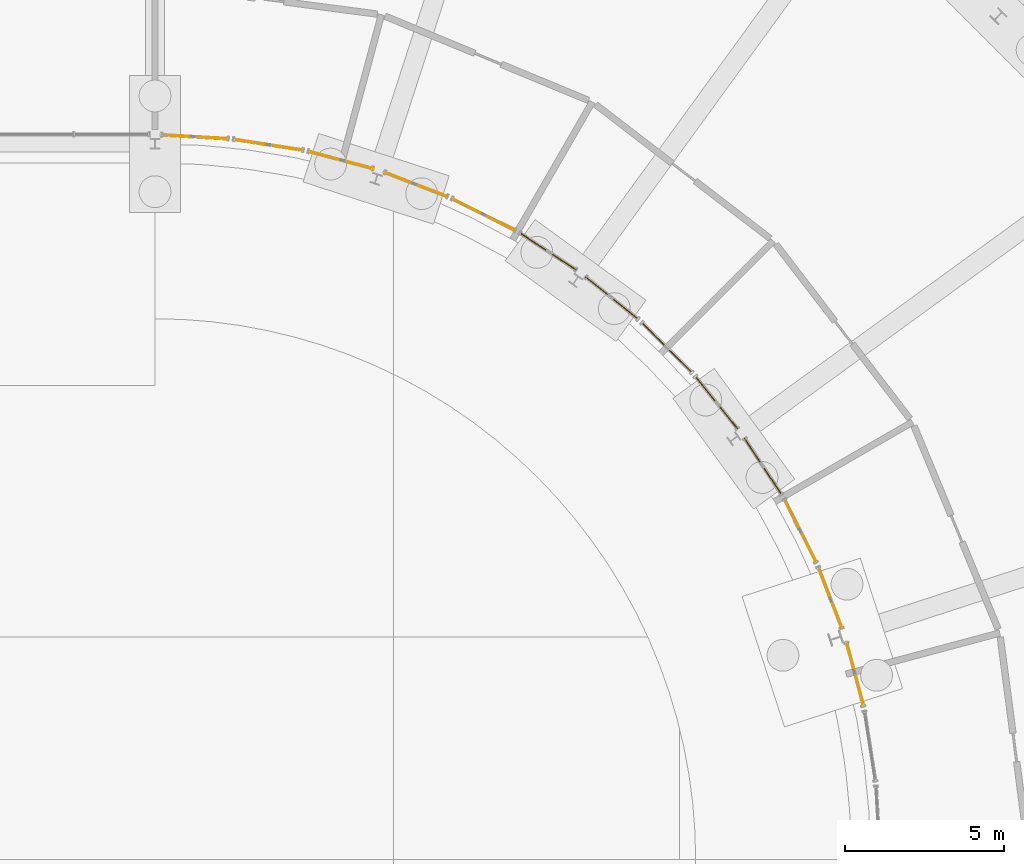
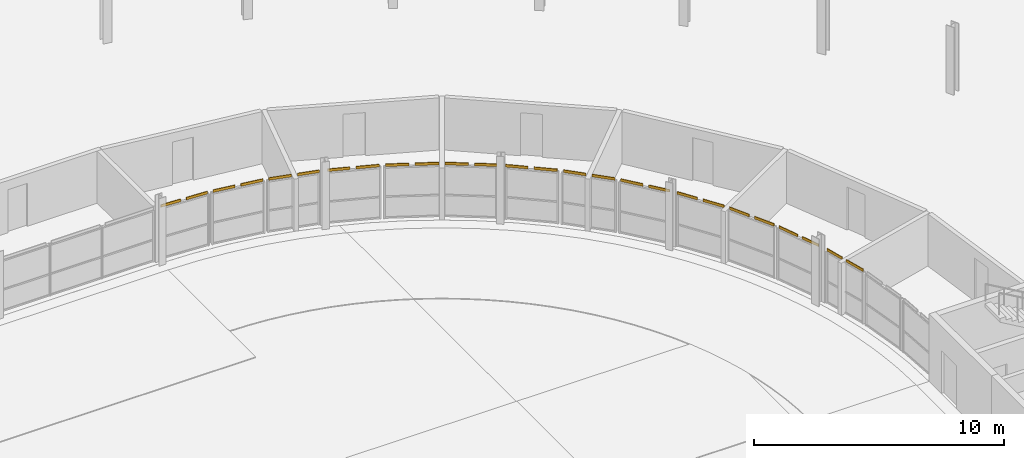
# One storey, part 129 of 130: 26 coverings.
"""IFC4 building model written with IfcOpenShell, lengths in metres."""

from ifc_helpers import new_model, si_unit, direction, frame, origin, origin_2d, place, context, subcontext, project, spatial, rectangle, extrude, material, layer, layer_set, type_object, element, save


model = new_model("IFC4")

# Units and contexts
model_context = context("Model", 3, precision=1e-05, world=origin(), true_north=direction((0.0, 1.0)))
body_context = subcontext(model_context, "Body", "Model", "MODEL_VIEW")
ifc_project = project(units=[si_unit("LENGTHUNIT", "METRE"), si_unit("AREAUNIT", "SQUARE_METRE"), si_unit("VOLUMEUNIT", "CUBIC_METRE"), si_unit("PLANEANGLEUNIT", "RADIAN"), si_unit("MASSUNIT", "GRAM", prefix="KILO")], contexts=[model_context])

# Site, building, storey
site_placement = place(None, origin())
site = spatial("IfcSite", under=ifc_project, at=site_placement, CompositionType="ELEMENT")
building_placement = place(site_placement, origin())
building = spatial("IfcBuilding", under=site, at=building_placement, Name="Parallax Yard Mobility Hub", CompositionType="ELEMENT")
storey_placement = place(building_placement, origin())
storey = spatial("IfcBuildingStorey", under=building, at=storey_placement, Name="L00", CompositionType="ELEMENT", Elevation=0.0)

# Coverings
ifc_material = material(Name="Insulated aluminium spandrel panel", Category="aluminium")
ifc_layer = layer(ifc_material, 0.028076171875)
ifc_layer_set = layer_set([ifc_layer], Name="Curtain wall spandrel closer, insulated aluminium 28")
covering_type = type_object("IfcCoveringType", Name="Curtain wall spandrel closer, insulated aluminium 28", PredefinedType="CLADDING", material=ifc_layer_set)
covering_1_placement = place(storey_placement, frame((173.12158203125, 112.764892578125, 2.5), z_axis=(0.0, 0.0, 1.0), x_axis=(0.998360850676, -0.057232961117, 0.0)))
element("IfcCovering", 1, at=covering_1_placement, inside=storey, type_object=covering_type, Name="Curtain wall CW24 level L00 bay 18.1 spandrel closer 1", ObjectType="SCREEN", PredefinedType="CLADDING", context=body_context, shape_type="SweptSolid", body=[
    extrude(rectangle(XDim=0.8935546875, YDim=0.028076171875, at=origin_2d()), origin(), (0.0, 0.0, 1.0), 0.126953125),
])
covering_2_placement = place(storey_placement, frame((174.28662109375, 112.697998046875, 2.5), z_axis=(0.0, 0.0, 1.0), x_axis=(0.998360850676, -0.057232961117, 0.0)))
element("IfcCovering", 2, at=covering_2_placement, inside=storey, type_object=covering_type, Name="Curtain wall CW24 level L00 bay 18.1 spandrel closer 2", ObjectType="SCREEN", PredefinedType="CLADDING", context=body_context, shape_type="SweptSolid", body=[
    extrude(rectangle(XDim=0.944580078125, YDim=0.028076171875, at=origin_2d()), origin(), (0.0, 0.0, 1.0), 0.126953125),
])
for number, where, z_axis, x_axis, name in (
    (3, (175.47119140625, 112.57177734375, 2.5), (0.0, 0.0, 1.0), (0.987944469708, -0.154808671503, 0.0), "Curtain wall CW25 level L00 bay 18.2 spandrel closer 1"),
    (4, (176.64990234375, 112.386962890625, 2.5), (0.0, 0.0, 1.0), (0.987944469708, -0.154808671503, 0.0), "Curtain wall CW25 level L00 bay 18.2 spandrel closer 2"),
):
    element("IfcCovering", number, at=place(storey_placement, frame(where, z_axis=z_axis, x_axis=x_axis)), inside=storey, type_object=covering_type, Name=name, ObjectType="SCREEN", PredefinedType="CLADDING", context=body_context, shape_type="SweptSolid", body=[
        extrude(rectangle(XDim=0.944091796875, YDim=0.028076171875, at=origin_2d()), origin(), (0.0, 0.0, 1.0), 0.126953125),
    ])
covering_3_placement = place(storey_placement, frame((177.815185546875, 112.14013671875, 2.5), z_axis=(0.0, 0.0, 1.0), x_axis=(0.965927633163, -0.258812301662, 0.0)))
element("IfcCovering", 5, at=covering_3_placement, inside=storey, type_object=covering_type, Name="Curtain wall CW26 level L00 bay 18.3 spandrel closer 1", ObjectType="SCREEN", PredefinedType="CLADDING", context=body_context, shape_type="SweptSolid", body=[
    extrude(rectangle(XDim=0.944580078125, YDim=0.028076171875, at=origin_2d()), origin(), (0.0, 0.0, 1.0), 0.126953125),
])
covering_4_placement = place(storey_placement, frame((178.94384765625, 111.837890625, 2.5), z_axis=(0.0, 0.0, 1.0), x_axis=(0.965927633163, -0.258812301662, 0.0)))
element("IfcCovering", 6, at=covering_4_placement, inside=storey, type_object=covering_type, Name="Curtain wall CW26 level L00 bay 18.3 spandrel closer 2", ObjectType="SCREEN", PredefinedType="CLADDING", context=body_context, shape_type="SweptSolid", body=[
    extrude(rectangle(XDim=0.896484375, YDim=0.028076171875, at=origin_2d()), origin(), (0.0, 0.0, 1.0), 0.126953125),
])
covering_5_placement = place(storey_placement, frame((180.12255859375, 111.453857421875, 2.5), z_axis=(0.0, 0.0, 1.0), x_axis=(0.932996881654, -0.359884452044, 0.0)))
element("IfcCovering", 7, at=covering_5_placement, inside=storey, type_object=covering_type, Name="Curtain wall CW27 level L00 bay 19.1 spandrel closer 1", ObjectType="SCREEN", PredefinedType="CLADDING", context=body_context, shape_type="SweptSolid", body=[
    extrude(rectangle(XDim=0.896240234375, YDim=0.028076171875, at=origin_2d()), origin(), (0.0, 0.0, 1.0), 0.126953125),
])
covering_6_placement = place(storey_placement, frame((181.212646484375, 111.033203125, 2.5), z_axis=(0.0, 0.0, 1.0), x_axis=(0.932996881654, -0.359884452044, 0.0)))
element("IfcCovering", 8, at=covering_6_placement, inside=storey, type_object=covering_type, Name="Curtain wall CW27 level L00 bay 19.1 spandrel closer 2", ObjectType="SCREEN", PredefinedType="CLADDING", context=body_context, shape_type="SweptSolid", body=[
    extrude(rectangle(XDim=0.944580078125, YDim=0.028076171875, at=origin_2d()), origin(), (0.0, 0.0, 1.0), 0.126953125),
])
covering_7_placement = place(storey_placement, frame((182.301513671875, 110.550537109375, 2.5), z_axis=(0.0, 0.0, 1.0), x_axis=(0.89322155466, -0.449616786043, 0.0)))
element("IfcCovering", 9, at=covering_7_placement, inside=storey, type_object=covering_type, Name="Curtain wall CW28 level L00 bay 19.2 spandrel closer 1", ObjectType="SCREEN", PredefinedType="CLADDING", context=body_context, shape_type="SweptSolid", body=[
    extrude(rectangle(XDim=0.944091796875, YDim=0.028076171875, at=origin_2d()), origin(), (0.0, 0.0, 1.0), 0.126953125),
])
covering_8_placement = place(storey_placement, frame((183.367431640625, 110.013916015625, 2.5), z_axis=(0.0, 0.0, 1.0), x_axis=(0.89322155466, -0.449616786043, 0.0)))
element("IfcCovering", 10, at=covering_8_placement, inside=storey, type_object=covering_type, Name="Curtain wall CW28 level L00 bay 19.2 spandrel closer 2", ObjectType="SCREEN", PredefinedType="CLADDING", context=body_context, shape_type="SweptSolid", body=[
    extrude(rectangle(XDim=0.944580078125, YDim=0.028076171875, at=origin_2d()), origin(), (0.0, 0.0, 1.0), 0.126953125),
])
covering_9_placement = place(storey_placement, frame((184.399169921875, 109.418212890625, 2.5), z_axis=(0.0, 0.0, 1.0), x_axis=(0.83598458953, -0.548752918962, 0.0)))
element("IfcCovering", 11, at=covering_9_placement, inside=storey, type_object=covering_type, Name="Curtain wall CW29 level L00 bay 19.3 spandrel closer 1", ObjectType="SCREEN", PredefinedType="CLADDING", context=body_context, shape_type="SweptSolid", body=[
    extrude(rectangle(XDim=0.945068359375, YDim=0.028076171875, at=origin_2d()), origin(), (0.0, 0.0, 1.0), 0.126953125),
])
covering_10_placement = place(storey_placement, frame((185.377685546875, 108.77587890625, 2.5), z_axis=(0.0, 0.0, 1.0), x_axis=(0.83598458953, -0.548752918962, 0.0)))
element("IfcCovering", 12, at=covering_10_placement, inside=storey, type_object=covering_type, Name="Curtain wall CW29 level L00 bay 19.3 spandrel closer 2", ObjectType="SCREEN", PredefinedType="CLADDING", context=body_context, shape_type="SweptSolid", body=[
    extrude(rectangle(XDim=0.900390625, YDim=0.028076171875, at=origin_2d()), origin(), (0.0, 0.0, 1.0), 0.126953125),
])
covering_11_placement = place(storey_placement, frame((186.376953125, 108.047607421875, 2.5), z_axis=(0.0, 0.0, 1.0), x_axis=(0.778164230216, -0.628060849609, 0.0)))
element("IfcCovering", 13, at=covering_11_placement, inside=storey, type_object=covering_type, Name="Curtain wall CW30 level L00 bay 20.1 spandrel closer 1", ObjectType="SCREEN", PredefinedType="CLADDING", context=body_context, shape_type="SweptSolid", body=[
    extrude(rectangle(XDim=0.8984375, YDim=0.028076171875, at=origin_2d()), origin(), (0.0, 0.0, 1.0), 0.126953125),
])
covering_12_placement = place(storey_placement, frame((187.287109375, 107.31298828125, 2.5), z_axis=(0.0, 0.0, 1.0), x_axis=(0.778164230216, -0.628060849609, 0.0)))
element("IfcCovering", 14, at=covering_12_placement, inside=storey, type_object=covering_type, Name="Curtain wall CW30 level L00 bay 20.1 spandrel closer 2", ObjectType="SCREEN", PredefinedType="CLADDING", context=body_context, shape_type="SweptSolid", body=[
    extrude(rectangle(XDim=0.94482421875, YDim=0.028076171875, at=origin_2d()), origin(), (0.0, 0.0, 1.0), 0.126953125),
])
for number, where, z_axis, x_axis, name in (
    (15, (188.173095703125, 106.5166015625, 2.5), (0.0, 0.0, 1.0), (0.707103078774, -0.707110483579, 0.0), "Curtain wall CW31 level L00 bay 20.2 spandrel closer 1"),
    (16, (189.0166015625, 105.673095703125, 2.5), (0.0, 0.0, 1.0), (0.707103078774, -0.707110483579, 0.0), "Curtain wall CW31 level L00 bay 20.2 spandrel closer 2"),
):
    element("IfcCovering", number, at=place(storey_placement, frame(where, z_axis=z_axis, x_axis=x_axis)), inside=storey, type_object=covering_type, Name=name, ObjectType="SCREEN", PredefinedType="CLADDING", context=body_context, shape_type="SweptSolid", body=[
        extrude(rectangle(XDim=0.944091796875, YDim=0.028076171875, at=origin_2d()), origin(), (0.0, 0.0, 1.0), 0.126953125),
    ])
covering_13_placement = place(storey_placement, frame((189.81298828125, 104.787109375, 2.5), z_axis=(0.0, 0.0, 1.0), x_axis=(0.628043193461, -0.778178480265, 0.0)))
element("IfcCovering", 17, at=covering_13_placement, inside=storey, type_object=covering_type, Name="Curtain wall CW32 level L00 bay 20.3 spandrel closer 1", ObjectType="SCREEN", PredefinedType="CLADDING", context=body_context, shape_type="SweptSolid", body=[
    extrude(rectangle(XDim=0.94482421875, YDim=0.028076171875, at=origin_2d()), origin(), (0.0, 0.0, 1.0), 0.126953125),
])
covering_14_placement = place(storey_placement, frame((190.547607421875, 103.876708984375, 2.5), z_axis=(0.0, 0.0, 1.0), x_axis=(0.628043193461, -0.778178480265, 0.0)))
element("IfcCovering", 18, at=covering_14_placement, inside=storey, type_object=covering_type, Name="Curtain wall CW32 level L00 bay 20.3 spandrel closer 2", ObjectType="SCREEN", PredefinedType="CLADDING", context=body_context, shape_type="SweptSolid", body=[
    extrude(rectangle(XDim=0.89892578125, YDim=0.028076171875, at=origin_2d()), origin(), (0.0, 0.0, 1.0), 0.126953125),
])
covering_15_placement = place(storey_placement, frame((191.27587890625, 102.877685546875, 2.5), z_axis=(0.0, 0.0, 1.0), x_axis=(0.548747082675, -0.835988420527, 0.0)))
element("IfcCovering", 19, at=covering_15_placement, inside=storey, type_object=covering_type, Name="Curtain wall CW33 level L00 bay 21.1 spandrel closer 1", ObjectType="SCREEN", PredefinedType="CLADDING", context=body_context, shape_type="SweptSolid", body=[
    extrude(rectangle(XDim=0.89990234375, YDim=0.028076171875, at=origin_2d()), origin(), (0.0, 0.0, 1.0), 0.126953125),
])
covering_16_placement = place(storey_placement, frame((191.918212890625, 101.899169921875, 2.5), z_axis=(0.0, 0.0, 1.0), x_axis=(0.548747082675, -0.835988420527, 0.0)))
element("IfcCovering", 20, at=covering_16_placement, inside=storey, type_object=covering_type, Name="Curtain wall CW33 level L00 bay 21.1 spandrel closer 2", ObjectType="SCREEN", PredefinedType="CLADDING", context=body_context, shape_type="SweptSolid", body=[
    extrude(rectangle(XDim=0.945068359375, YDim=0.028076171875, at=origin_2d()), origin(), (0.0, 0.0, 1.0), 0.126953125),
])
covering_17_placement = place(storey_placement, frame((192.513916015625, 100.867431640625, 2.5), z_axis=(0.0, 0.0, 1.0), x_axis=(0.449618345008, -0.893220769929, 0.0)))
element("IfcCovering", 21, at=covering_17_placement, inside=storey, type_object=covering_type, Name="Curtain wall CW34 level L00 bay 21.2 spandrel closer 1", ObjectType="SCREEN", PredefinedType="CLADDING", context=body_context, shape_type="SweptSolid", body=[
    extrude(rectangle(XDim=0.944580078125, YDim=0.028076171875, at=origin_2d()), origin(), (0.0, 0.0, 1.0), 0.126953125),
])
covering_18_placement = place(storey_placement, frame((193.050537109375, 99.801513671875, 2.5), z_axis=(0.0, 0.0, 1.0), x_axis=(0.449618345008, -0.893220769929, 0.0)))
element("IfcCovering", 22, at=covering_18_placement, inside=storey, type_object=covering_type, Name="Curtain wall CW34 level L00 bay 21.2 spandrel closer 2", ObjectType="SCREEN", PredefinedType="CLADDING", context=body_context, shape_type="SweptSolid", body=[
    extrude(rectangle(XDim=0.944091796875, YDim=0.028076171875, at=origin_2d()), origin(), (0.0, 0.0, 1.0), 0.126953125),
])
covering_19_placement = place(storey_placement, frame((193.533203125, 98.712646484375, 2.5), z_axis=(0.0, 0.0, 1.0), x_axis=(0.359907249351, -0.93298808774, 0.0)))
element("IfcCovering", 23, at=covering_19_placement, inside=storey, type_object=covering_type, Name="Curtain wall CW35 level L00 bay 21.3 spandrel closer 1", ObjectType="SCREEN", PredefinedType="CLADDING", context=body_context, shape_type="SweptSolid", body=[
    extrude(rectangle(XDim=0.944580078125, YDim=0.028076171875, at=origin_2d()), origin(), (0.0, 0.0, 1.0), 0.126953125),
])
covering_20_placement = place(storey_placement, frame((193.945556640625, 97.643798828125, 2.5), z_axis=(0.0, 0.0, 1.0), x_axis=(0.359907249351, -0.93298808774, 0.0)))
element("IfcCovering", 24, at=covering_20_placement, inside=storey, type_object=covering_type, Name="Curtain wall CW35 level L00 bay 21.3 spandrel closer 2", ObjectType="SCREEN", PredefinedType="CLADDING", context=body_context, shape_type="SweptSolid", body=[
    extrude(rectangle(XDim=0.8505859375, YDim=0.028076171875, at=origin_2d()), origin(), (0.0, 0.0, 1.0), 0.126953125),
])
covering_21_placement = place(storey_placement, frame((194.343505859375, 96.42236328125, 2.5), z_axis=(0.0, 0.0, 1.0), x_axis=(0.258846018739, -0.965918598321, 0.0)))
element("IfcCovering", 25, at=covering_21_placement, inside=storey, type_object=covering_type, Name="Curtain wall CW36 level L00 bay 22.1 spandrel closer 1", ObjectType="SCREEN", PredefinedType="CLADDING", context=body_context, shape_type="SweptSolid", body=[
    extrude(rectangle(XDim=0.851806640625, YDim=0.028076171875, at=origin_2d()), origin(), (0.0, 0.0, 1.0), 0.126953125),
])
covering_22_placement = place(storey_placement, frame((194.640380859375, 95.315185546875, 2.5), z_axis=(0.0, 0.0, 1.0), x_axis=(0.258846018739, -0.965918598321, 0.0)))
element("IfcCovering", 26, at=covering_22_placement, inside=storey, type_object=covering_type, Name="Curtain wall CW36 level L00 bay 22.1 spandrel closer 2", ObjectType="SCREEN", PredefinedType="CLADDING", context=body_context, shape_type="SweptSolid", body=[
    extrude(rectangle(XDim=0.944580078125, YDim=0.028076171875, at=origin_2d()), origin(), (0.0, 0.0, 1.0), 0.126953125),
])

save(model, "model.ifc")
